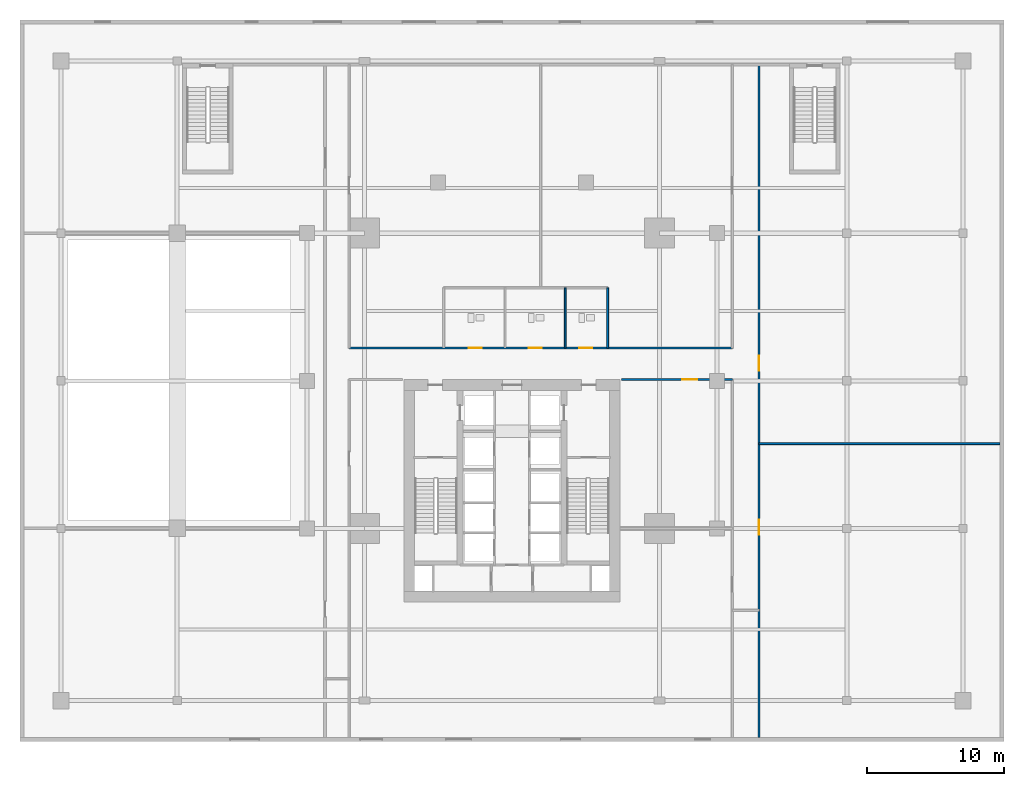
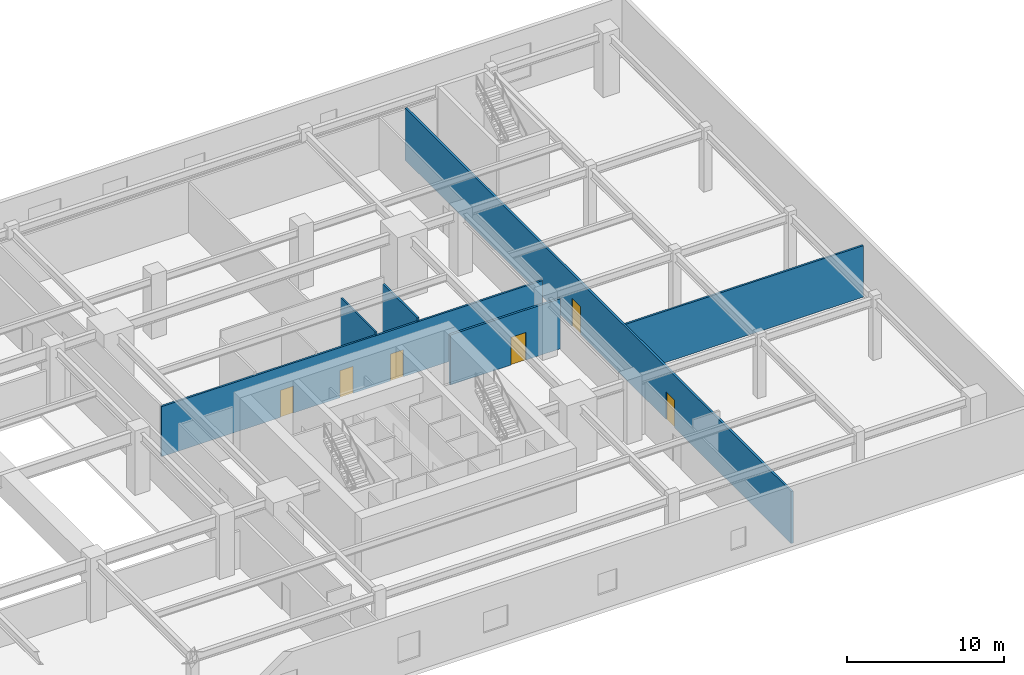
# One storey, part 4 of 9: 6 doors, 6 walls, 6 openings.
"""IFC4 building model written with IfcOpenShell, lengths in metres."""

from ifc_helpers import new_model, si_unit, direction, frame, frame_2d, origin, place, context, subcontext, project, spatial, rectangle, extrude, material, layer, layer_set, type_object, element, fill, save


model = new_model("IFC4")

# Units and contexts
model_context = context("Model", 3, precision=1e-05, world=origin(), true_north=direction((0.0, 1.0)))
body_context = subcontext(model_context, "Body", "Model", "MODEL_VIEW")
ifc_project = project(units=[si_unit("LENGTHUNIT", "METRE"), si_unit("AREAUNIT", "SQUARE_METRE"), si_unit("VOLUMEUNIT", "CUBIC_METRE"), si_unit("PLANEANGLEUNIT", "RADIAN"), si_unit("MASSUNIT", "GRAM", prefix="KILO")], contexts=[model_context])

# Site, building, storey
site_placement = place(None, origin())
site = spatial("IfcSite", under=ifc_project, at=site_placement, CompositionType="ELEMENT")
building_placement = place(site_placement, origin())
building = spatial("IfcBuilding", under=site, at=building_placement, Name="Krantzveldt Concourse Tower", CompositionType="ELEMENT")
storey_placement = place(building_placement, frame((0.0, 0.0, 10.39990234375)))
storey = spatial("IfcBuildingStorey", under=building, at=storey_placement, Name="L02", CompositionType="ELEMENT", Elevation=10.39990234375)

# Wall
ifc_material_1 = material(Name="Fire-rated gypsum plasterboard on steel stud", Category="steel")
ifc_layer_1 = layer(ifc_material_1, 0.1201171875, Name="Fire-rated gypsum plasterboard on steel stud", Category="steel")
ifc_layer_set_1 = layer_set([ifc_layer_1], Name="Fire-rated gypsum plasterboard on steel stud (WL-PART-120)")
wall_type_1 = type_object("IfcWallType", Name="WL-PART-120", PredefinedType="PARTITIONING", material=ifc_layer_set_1)
wall_1_placement = place(storey_placement, frame((39.89990234375, 29.10009765625, 0.0), z_axis=(0.0, 0.0, 1.0), x_axis=(0.0, 1.0, 0.0)))
element("IfcWall", 1, at=wall_1_placement, inside=storey, type_object=wall_type_1, Name="WP-L02-WCD2", PredefinedType="PARTITIONING", context=body_context, shape_type="SweptSolid", body=[
    extrude(rectangle(XDim=4.39990234375, YDim=0.1201171875, at=frame_2d((2.199951171875, 0.0))), origin(), (0.0, 0.0, 1.0), 4.150146484375),
])

# Wall, openings, doors
ifc_layer_2 = layer(ifc_material_1, 0.139892578125, Name="Fire-rated gypsum plasterboard on steel stud", Category="steel")
ifc_layer_set_2 = layer_set([ifc_layer_2], Name="Fire-rated gypsum plasterboard on steel stud (WL-PART-140)")
wall_type_2 = type_object("IfcWallType", Name="WL-PART-140", PredefinedType="PARTITIONING", material=ifc_layer_set_2)
wall_2_placement = place(storey_placement, frame((24.080078125, 29.10009765625, 0.0), z_axis=(0.0, 0.0, 1.0), x_axis=(1.0, 0.0, 0.0)))
wall_2 = element("IfcWall", 2, at=wall_2_placement, inside=storey, type_object=wall_type_2, Name="WP-L02-CN1", PredefinedType="PARTITIONING", context=body_context, shape_type="SweptSolid", body=[
    extrude(rectangle(XDim=28.0400390625, YDim=0.139892578125, at=frame_2d((14.02001953125, 0.0))), origin(), (0.0, 0.0, 1.0), 3.900146484375),
])
opening_1_placement = place(wall_2_placement, frame((8.7451171875, 0.0, 0.0)))
opening_1 = element("IfcOpeningElement", 3, at=opening_1_placement, cuts=wall_2, Name="Opening D-IN095", PredefinedType="OPENING", context=body_context, shape_type="SweptSolid", body=[
    extrude(rectangle(XDim=0.949951171875, YDim=2.10009765625, at=frame_2d((0.47509765625, 1.050048828125))), frame((0.0, 0.080078125, 0.0), z_axis=(0.0, -1.0, 0.0), x_axis=(1.0, 0.0, 0.0)), (0.0, 0.0, 1.0), 0.159912109375),
])
opening_2_placement = place(wall_2_placement, frame((13.14501953125, 0.0, 0.0)))
opening_2 = element("IfcOpeningElement", 4, at=opening_2_placement, cuts=wall_2, Name="Opening D-IN095", PredefinedType="OPENING", context=body_context, shape_type="SweptSolid", body=[
    extrude(rectangle(XDim=0.949951171875, YDim=2.10009765625, at=frame_2d((0.47509765625, 1.050048828125))), frame((0.0, 0.080078125, 0.0), z_axis=(0.0, -1.0, 0.0), x_axis=(1.0, 0.0, 0.0)), (0.0, 0.0, 1.0), 0.159912109375),
])
opening_3_placement = place(wall_2_placement, frame((16.844970703125, 0.0, 0.0)))
opening_3 = element("IfcOpeningElement", 5, at=opening_3_placement, cuts=wall_2, Name="Opening D-IN095", PredefinedType="OPENING", context=body_context, shape_type="SweptSolid", body=[
    extrude(rectangle(XDim=0.949951171875, YDim=2.10009765625, at=frame_2d((0.47509765625, 1.050048828125))), frame((0.0, 0.080078125, 0.0), z_axis=(0.0, -1.0, 0.0), x_axis=(1.0, 0.0, 0.0)), (0.0, 0.0, 1.0), 0.159912109375),
])
ifc_material_2 = material(Name="Hardwood timber", Category="wood")
door_type_1 = type_object("IfcDoorType", Name="DR-INT-950", OperationType="SINGLE_SWING_LEFT", PredefinedType="DOOR", material=ifc_material_2)
door_1_placement = place(opening_1_placement, origin())
door_1 = element("IfcDoor", 6, at=door_1_placement, inside=storey, type_object=door_type_1, Name="DR-L02-WCM", OperationType="SINGLE_SWING_LEFT", OverallHeight=2.10009765625, OverallWidth=0.949951171875, PredefinedType="DOOR", context=body_context, shape_type="SweptSolid", body=[
    extrude(rectangle(XDim=0.949951171875, YDim=2.10009765625, at=frame_2d((0.47509765625, 1.050048828125))), frame((0.0, 0.02490234375, 0.0), z_axis=(0.0, -1.0, 0.0), x_axis=(1.0, 0.0, 0.0)), (0.0, 0.0, 1.0), 0.050048828125),
])
fill(opening_1, door_1)
door_2_placement = place(opening_2_placement, origin())
door_2 = element("IfcDoor", 7, at=door_2_placement, inside=storey, type_object=door_type_1, Name="DR-L02-WCF", OperationType="SINGLE_SWING_RIGHT", OverallHeight=2.10009765625, OverallWidth=0.949951171875, PredefinedType="DOOR", context=body_context, shape_type="SweptSolid", body=[
    extrude(rectangle(XDim=0.949951171875, YDim=2.10009765625, at=frame_2d((0.47509765625, 1.050048828125))), frame((0.0, 0.02490234375, 0.0), z_axis=(0.0, -1.0, 0.0), x_axis=(1.0, 0.0, 0.0)), (0.0, 0.0, 1.0), 0.050048828125),
])
fill(opening_2, door_2)
door_3_placement = place(opening_3_placement, origin())
door_3 = element("IfcDoor", 8, at=door_3_placement, inside=storey, type_object=door_type_1, Name="DR-L02-WCA", OperationType="SINGLE_SWING_LEFT", OverallHeight=2.10009765625, OverallWidth=0.949951171875, PredefinedType="DOOR", context=body_context, shape_type="SweptSolid", body=[
    extrude(rectangle(XDim=0.949951171875, YDim=2.10009765625, at=frame_2d((0.47509765625, 1.050048828125))), frame((0.0, 0.02490234375, 0.0), z_axis=(0.0, -1.0, 0.0), x_axis=(1.0, 0.0, 0.0)), (0.0, 0.0, 1.0), 0.050048828125),
])
fill(opening_3, door_3)

# Walls
wall_3_placement = place(storey_placement, frame((43.0, 29.10009765625, 0.0), z_axis=(0.0, 0.0, 1.0), x_axis=(0.0, 1.0, 0.0)))
element("IfcWall", 9, at=wall_3_placement, inside=storey, type_object=wall_type_2, Name="WP-L02-WCE", PredefinedType="PARTITIONING", context=body_context, shape_type="SweptSolid", body=[
    extrude(rectangle(XDim=4.39990234375, YDim=0.139892578125, at=frame_2d((2.199951171875, 0.0))), origin(), (0.0, 0.0, 1.0), 4.150146484375),
])
wall_4_placement = place(storey_placement, frame((54.080078125, 22.10009765625, 0.0), z_axis=(0.0, 0.0, 1.0), x_axis=(1.0, 0.0, 0.0)))
element("IfcWall", 10, at=wall_4_placement, inside=storey, type_object=wall_type_2, Name="WP-L02-TRD2", PredefinedType="PARTITIONING", context=body_context, shape_type="SweptSolid", body=[
    extrude(rectangle(XDim=17.614990234375, YDim=0.139892578125, at=frame_2d((8.8076171875, 0.0))), origin(), (0.0, 0.0, 1.0), 4.010009765625),
])

# Wall, opening, door
ifc_layer_3 = layer(ifc_material_1, 0.159912109375, Name="Fire-rated gypsum plasterboard on steel stud", Category="steel")
ifc_layer_set_3 = layer_set([ifc_layer_3], Name="Fire-rated gypsum plasterboard on steel stud (WL-PART-160)")
wall_type_3 = type_object("IfcWallType", Name="WL-PART-160", PredefinedType="PARTITIONING", material=ifc_layer_set_3)
wall_5_placement = place(storey_placement, frame((44.0, 26.800048828125, 0.0), z_axis=(0.0, 0.0, 1.0), x_axis=(1.0, 0.0, 0.0)))
wall_5 = element("IfcWall", 11, at=wall_5_placement, inside=storey, type_object=wall_type_3, Name="WP-L02-S2", PredefinedType="PARTITIONING", context=body_context, shape_type="SweptSolid", body=[
    extrude(rectangle(XDim=8.1201171875, YDim=0.159912109375, at=frame_2d((4.06005859375, 0.0))), origin(), (0.0, 0.0, 1.0), 3.900146484375),
])
opening_4_placement = place(wall_5_placement, frame((4.449951171875, 0.0, 0.0)))
opening_4 = element("IfcOpeningElement", 12, at=opening_4_placement, cuts=wall_5, Name="Opening D-IN110", PredefinedType="OPENING", context=body_context, shape_type="SweptSolid", body=[
    extrude(rectangle(XDim=1.10009765625, YDim=2.14990234375, at=frame_2d((0.550048828125, 1.074951171875))), frame((0.0, 0.08984375, 0.0), z_axis=(0.0, -1.0, 0.0), x_axis=(1.0, 0.0, 0.0)), (0.0, 0.0, 1.0), 0.179931640625),
])
door_type_2 = type_object("IfcDoorType", Name="DR-INT-1100", OperationType="SINGLE_SWING_LEFT", PredefinedType="DOOR", material=ifc_material_2)
door_4_placement = place(opening_4_placement, origin())
door_4 = element("IfcDoor", 13, at=door_4_placement, inside=storey, type_object=door_type_2, Name="DR-L02-TR2", OperationType="SINGLE_SWING_RIGHT", OverallHeight=2.14990234375, OverallWidth=1.10009765625, PredefinedType="DOOR", context=body_context, shape_type="SweptSolid", body=[
    extrude(rectangle(XDim=1.10009765625, YDim=2.14990234375, at=frame_2d((0.550048828125, 1.074951171875))), frame((0.0, 0.02490234375, 0.0), z_axis=(0.0, -1.0, 0.0), x_axis=(1.0, 0.0, 0.0)), (0.0, 0.0, 1.0), 0.050048828125),
])
fill(opening_4, door_4)

# Wall, openings, doors
ifc_layer_4 = layer(ifc_material_1, 0.159912109375, Name="Fire-rated gypsum plasterboard on steel stud", Category="steel")
ifc_layer_set_4 = layer_set([ifc_layer_4], Name="Fire-rated gypsum plasterboard on steel stud (WL-PART-FR160)")
wall_type_4 = type_object("IfcWallType", Name="WL-PART-FR160", PredefinedType="PARTITIONING", material=ifc_layer_set_4)
wall_6_placement = place(storey_placement, frame((54.080078125, 0.60498046875, 0.0), z_axis=(0.0, 0.0, 1.0), x_axis=(0.0, 1.0, 0.0)))
wall_6 = element("IfcWall", 14, at=wall_6_placement, inside=storey, type_object=wall_type_4, Name="WP-L02-CEL2", PredefinedType="PARTITIONING", context=body_context, shape_type="SweptSolid", body=[
    extrude(rectangle(XDim=49.215087890625, YDim=0.159912109375, at=frame_2d((24.607421875, 0.0))), origin(), (0.0, 0.0, 1.0), 4.06005859375),
])
opening_5_placement = place(wall_6_placement, frame((14.844970703125, 0.0, 0.0)))
opening_5 = element("IfcOpeningElement", 15, at=opening_5_placement, cuts=wall_6, Name="Opening D-FD611", PredefinedType="OPENING", context=body_context, shape_type="SweptSolid", body=[
    extrude(rectangle(XDim=1.10009765625, YDim=2.14990234375, at=frame_2d((0.550048828125, 1.074951171875))), frame((0.0, 0.08984375, 0.0), z_axis=(0.0, -1.0, 0.0), x_axis=(1.0, 0.0, 0.0)), (0.0, 0.0, 1.0), 0.179931640625),
])
opening_6_placement = place(wall_6_placement, frame((26.844970703125, 0.0, 0.0)))
opening_6 = element("IfcOpeningElement", 16, at=opening_6_placement, cuts=wall_6, Name="Opening D-FD611", PredefinedType="OPENING", context=body_context, shape_type="SweptSolid", body=[
    extrude(rectangle(XDim=1.10009765625, YDim=2.14990234375, at=frame_2d((0.550048828125, 1.074951171875))), frame((0.0, 0.08984375, 0.0), z_axis=(0.0, -1.0, 0.0), x_axis=(1.0, 0.0, 0.0)), (0.0, 0.0, 1.0), 0.179931640625),
])
door_type_3 = type_object("IfcDoorType", Name="DR-FD60-1100", OperationType="SINGLE_SWING_LEFT", PredefinedType="DOOR", material=ifc_material_2)
door_5_placement = place(opening_5_placement, origin())
door_5 = element("IfcDoor", 17, at=door_5_placement, inside=storey, type_object=door_type_3, Name="DR-L02-TR3", OperationType="SINGLE_SWING_RIGHT", OverallHeight=2.14990234375, OverallWidth=1.10009765625, PredefinedType="DOOR", context=body_context, shape_type="SweptSolid", body=[
    extrude(rectangle(XDim=1.10009765625, YDim=2.14990234375, at=frame_2d((0.550048828125, 1.074951171875))), frame((0.0, 0.02490234375, 0.0), z_axis=(0.0, -1.0, 0.0), x_axis=(1.0, 0.0, 0.0)), (0.0, 0.0, 1.0), 0.050048828125),
])
fill(opening_5, door_5)
door_6_placement = place(opening_6_placement, origin())
door_6 = element("IfcDoor", 18, at=door_6_placement, inside=storey, type_object=door_type_3, Name="DR-L02-TR4", OperationType="SINGLE_SWING_LEFT", OverallHeight=2.14990234375, OverallWidth=1.10009765625, PredefinedType="DOOR", context=body_context, shape_type="SweptSolid", body=[
    extrude(rectangle(XDim=1.10009765625, YDim=2.14990234375, at=frame_2d((0.550048828125, 1.074951171875))), frame((0.0, 0.02490234375, 0.0), z_axis=(0.0, -1.0, 0.0), x_axis=(1.0, 0.0, 0.0)), (0.0, 0.0, 1.0), 0.050048828125),
])
fill(opening_6, door_6)

save(model, "model.ifc")
